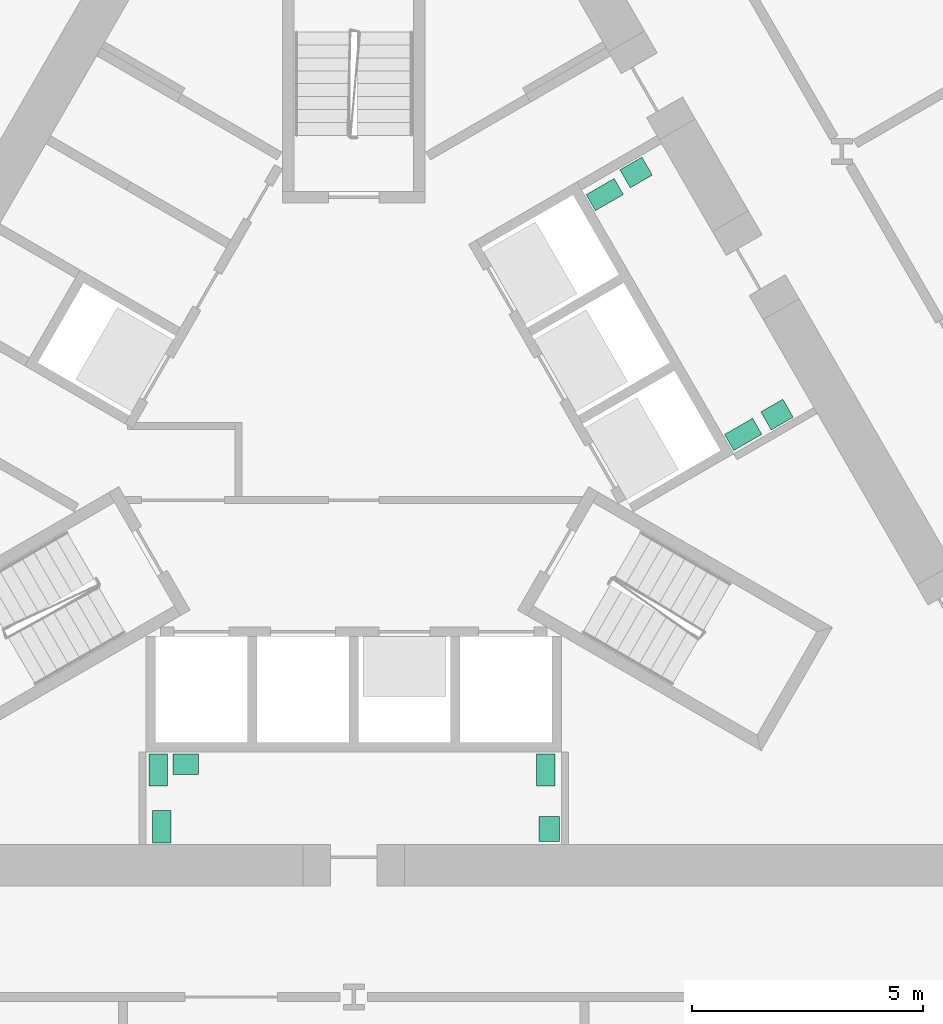
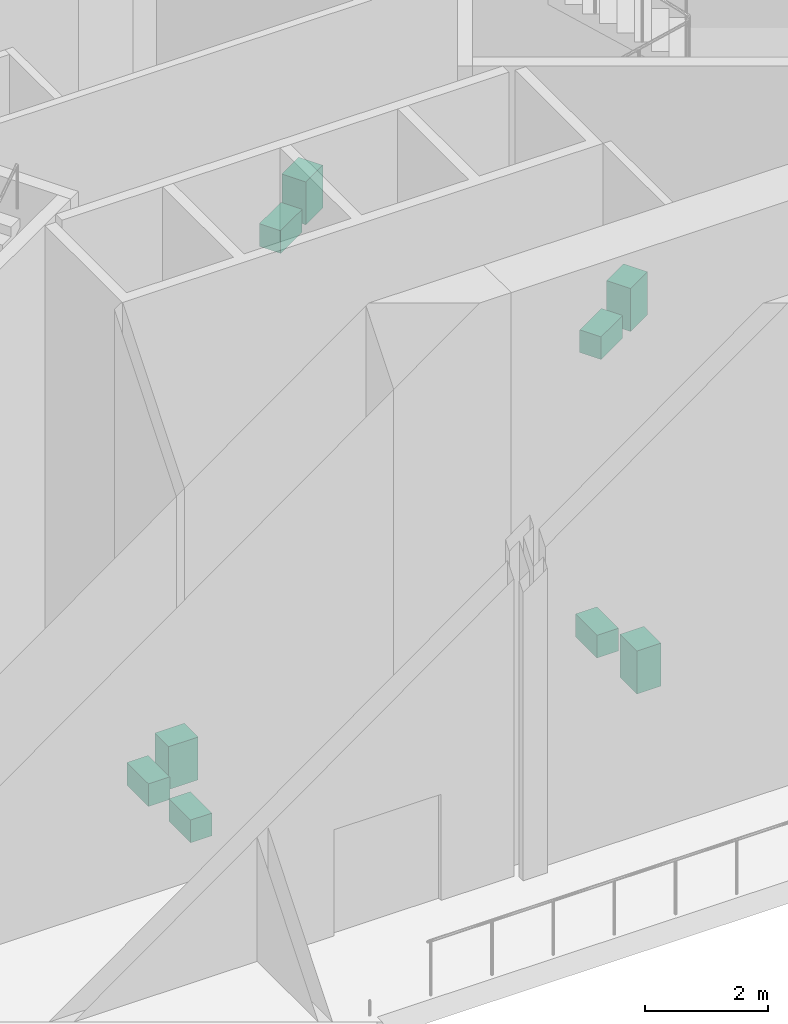
# One storey, part 17 of 18: 9 sanitary terminals.
"""IFC4 building model written with IfcOpenShell, lengths in metres."""

import ifcopenshell
import ifcopenshell.guid

model = None  # the IFC model being written
_history = None  # IfcOwnerHistory: only IFC2X3 demands one
_inside = {}  # id of a spatial element -> (the spatial element, [elements in it])
_under = {}  # id of a project, library or spatial element -> (it, [spatial elements below it])
_declared = {}  # id of a project -> (the project, [libraries it declares])
_typed = {}  # id of a type object -> (the type object, [elements of that type])
_made_of = {}  # id of a material, layer set ... -> (it, [elements and type objects made of it])


def new_model(schema):
    """Start an empty IFC model of exactly this schema.

    Asked for "IFC4X3", IfcOpenShell would pick the latest addendum, in which some entities
    have other attributes; the version numbers below select the first issue.
    IFC2X3 requires an IfcOwnerHistory on every rooted entity: one is made here for all.
    """
    global model, _history
    if schema == "IFC4X3":
        model = ifcopenshell.file(schema_version=(4, 3, 0, 0))
    else:
        model = ifcopenshell.file(schema=schema)
    _inside.clear()
    _under.clear()
    _declared.clear()
    _typed.clear()
    _made_of.clear()
    _history = None
    if model.schema == "IFC2X3":
        org = make("IfcOrganization", Name="unknown")
        user = make(
            "IfcPersonAndOrganization",
            ThePerson=make("IfcPerson", FamilyName="unknown"),
            TheOrganization=org,
        )
        app = make(
            "IfcApplication",
            ApplicationDeveloper=org,
            Version="unknown",
            ApplicationFullName="unknown",
            ApplicationIdentifier="unknown",
        )
        _history = make(
            "IfcOwnerHistory",
            OwningUser=user,
            OwningApplication=app,
            ChangeAction="ADDED",
            CreationDate=0,
        )
    return model


def make(cls, **values):
    """One entity of the class cls with the attributes given. An attribute that is None is left unset."""
    return model.create_entity(
        cls, **{name: value for name, value in values.items() if value is not None}
    )


def rooted(cls, **values):
    """An entity with a GlobalId (a new one), such as an element, a storey or a relation."""
    return make(cls, GlobalId=ifcopenshell.guid.new(), OwnerHistory=_history, **values)


def si_unit(unit_type, name, prefix=None):
    """IfcSIUnit, for example si_unit("LENGTHUNIT", "METRE", prefix="MILLI")."""
    return make("IfcSIUnit", UnitType=unit_type, Prefix=prefix, Name=name)


def assignment(units):
    """IfcUnitAssignment: the units of a project."""
    return None if units is None else make("IfcUnitAssignment", Units=units)


def point(xyz):
    """IfcCartesianPoint."""
    return None if xyz is None else make("IfcCartesianPoint", Coordinates=xyz)


def direction(xyz):
    """IfcDirection."""
    return None if xyz is None else make("IfcDirection", DirectionRatios=xyz)


def frame(location, z_axis=None, x_axis=None):
    """IfcAxis2Placement3D, a coordinate frame: its origin and axes. An axis left out is left unset."""
    return make(
        "IfcAxis2Placement3D",
        Location=point(location),
        Axis=direction(z_axis),
        RefDirection=direction(x_axis),
    )


def frame_2d(location, x_axis=None):
    """IfcAxis2Placement2D, a coordinate frame in the plane: its origin and x axis."""
    return make(
        "IfcAxis2Placement2D", Location=point(location), RefDirection=direction(x_axis)
    )


def origin():
    """The frame at (0, 0, 0) with its axes left unset."""
    return frame((0.0, 0.0, 0.0))


def origin_2d():
    """The frame at (0, 0) in the plane with its x axis left unset."""
    return frame_2d((0.0, 0.0))


def place(relative_to, where):
    """IfcLocalPlacement: puts the frame where relative to a parent placement (None: the world)."""
    return make(
        "IfcLocalPlacement", PlacementRelTo=relative_to, RelativePlacement=where
    )


def context(
    kind, dimensions, precision=None, world=None, true_north=None, identifier=None
):
    """IfcGeometricRepresentationContext, for example the 3D "Model" context."""
    return make(
        "IfcGeometricRepresentationContext",
        ContextIdentifier=identifier,
        ContextType=kind,
        CoordinateSpaceDimension=dimensions,
        Precision=precision,
        WorldCoordinateSystem=world,
        TrueNorth=true_north,
    )


def subcontext(parent, identifier, kind, view, scale=None):
    """IfcGeometricRepresentationSubContext, for example "Body" below "Model"."""
    return make(
        "IfcGeometricRepresentationSubContext",
        ContextIdentifier=identifier,
        ContextType=kind,
        ParentContext=parent,
        TargetScale=scale,
        TargetView=view,
    )


def project(units=None, contexts=None):
    """IfcProject with its units and contexts."""
    return rooted(
        "IfcProject",
        Name="project",
        RepresentationContexts=contexts,
        UnitsInContext=assignment(units),
    )


def spatial(cls, under=None, at=None, **own):
    """A site, building, storey or space (cls), placed at a placement, below another one or the project."""
    s = rooted(cls, ObjectPlacement=at, **own)
    if under is not None:
        _under.setdefault(under.id(), (under, []))[1].append(s)
    return s


def profile(cls, at=None, kind="AREA", **sizes):
    """A parametric profile (cls). Its sizes go by their IFC names, for example OverallWidth=200.0."""
    return make(cls, ProfileType=kind, Position=at, **sizes)


def rectangle(**sizes):
    """IfcRectangleProfileDef."""
    return profile("IfcRectangleProfileDef", **sizes)


def extrude(swept, where, along, depth):
    """IfcExtrudedAreaSolid: the profile swept, set in the frame where, extruded along a direction by depth."""
    return make(
        "IfcExtrudedAreaSolid",
        SweptArea=swept,
        Position=where,
        ExtrudedDirection=direction(along),
        Depth=depth,
    )


def shape(context_of_items, identifier, shape_type, items):
    """IfcShapeRepresentation: the items that make up one representation, for example the "Body"."""
    return make(
        "IfcShapeRepresentation",
        ContextOfItems=context_of_items,
        RepresentationIdentifier=identifier,
        RepresentationType=shape_type,
        Items=items,
    )


def material(Name=None, Category=None):
    """IfcMaterial."""
    return make("IfcMaterial", Name=Name, Category=Category)


def made_of(thing, what):
    """Note that an element or type object is made of a material, layer set ...; save() writes the relation."""
    if what is not None:
        _made_of.setdefault(what.id(), (what, []))[1].append(thing)
    return thing


def type_object(cls, material=None, **own):
    """A type object (cls), such as IfcWallType, which elements share."""
    return made_of(rooted(cls, **own), material)


def element(
    cls,
    number,
    at=None,
    inside=None,
    cuts=None,
    type_object=None,
    material=None,
    context=None,
    identifier="Body",
    shape_type=None,
    held_by="IfcProductDefinitionShape",
    body=None,
    shapes=None,
    **own,
):
    """One element of the class cls, such as IfcWall. Its Tag is "e" and its number.

    at: its placement. inside: the storey or other place that contains it. cuts: it is an
    opening in that element (IfcRelVoidsElement). A single representation is given by context,
    identifier, shape_type and body (its items); several are given by shapes. held_by: the class
    of the entity that holds the representations. save() writes the other relations.
    """
    e = rooted(cls, Tag="e%d" % number, ObjectPlacement=at, **own)
    if body is not None:
        shapes = [shape(context, identifier, shape_type, body)]
    if shapes is not None:
        e.Representation = make(held_by, Representations=shapes)
    if inside is not None:
        _inside.setdefault(inside.id(), (inside, []))[1].append(e)
    if cuts is not None:
        rooted(
            "IfcRelVoidsElement", RelatingBuildingElement=cuts, RelatedOpeningElement=e
        )
    if type_object is not None:
        _typed.setdefault(type_object.id(), (type_object, []))[1].append(e)
    return made_of(e, material)


def aggregate(whole, parts):
    """IfcRelAggregates: a whole, such as a stair, and the parts it consists of."""
    return rooted("IfcRelAggregates", RelatingObject=whole, RelatedObjects=parts)


def save(model, path):
    """Write the relations noted so far, then the file.

    IfcRelAggregates (storeys below a building ...), IfcRelContainedInSpatialStructure (elements
    in a storey), IfcRelDefinesByType, IfcRelAssociatesMaterial and IfcRelDeclares: one each for
    every whole, place, type object, material and project.
    """
    for whole, parts in _under.values():
        aggregate(whole, parts)
    for where, things in _inside.values():
        rooted(
            "IfcRelContainedInSpatialStructure",
            RelatedElements=things,
            RelatingStructure=where,
        )
    for kind, things in _typed.values():
        rooted("IfcRelDefinesByType", RelatedObjects=things, RelatingType=kind)
    for what, things in _made_of.values():
        rooted("IfcRelAssociatesMaterial", RelatedObjects=things, RelatingMaterial=what)
    for by, libraries in _declared.values():
        rooted("IfcRelDeclares", RelatingContext=by, RelatedDefinitions=libraries)
    model.write(path)


model = new_model("IFC4")

# Units and contexts
model_context = context("Model", 3, precision=1e-05, world=origin(), true_north=direction((0.0, 1.0)))
body_context = subcontext(model_context, "Body", "Model", "MODEL_VIEW")
ifc_project = project(units=[si_unit("LENGTHUNIT", "METRE"), si_unit("AREAUNIT", "SQUARE_METRE"), si_unit("VOLUMEUNIT", "CUBIC_METRE"), si_unit("PLANEANGLEUNIT", "RADIAN"), si_unit("MASSUNIT", "GRAM", prefix="KILO")], contexts=[model_context])

# Site, building, storey
site_placement = place(None, origin())
site = spatial("IfcSite", under=ifc_project, at=site_placement, CompositionType="ELEMENT")
building_placement = place(site_placement, origin())
building = spatial("IfcBuilding", under=site, at=building_placement, Name="Cormorant Prow Tower", CompositionType="ELEMENT")
storey_placement = place(building_placement, origin())
storey = spatial("IfcBuildingStorey", under=building, at=storey_placement, Name="L00", CompositionType="ELEMENT", Elevation=0.0)

# Sanitary terminals
ifc_material_1 = material(Name="Vitreous china")
sanitary_terminal_type_1 = type_object("IfcSanitaryTerminalType", Name="Wash basin 550x450", PredefinedType="WASHHANDBASIN", material=ifc_material_1)
for number, where, z_axis, x_axis, name in (
    (1, (4.235107421875, -8.574951171875, 0.0), (0.0, 0.0, 1.0), (0.0, 1.0, 0.0), "Wash basin"),
    (2, (-3.639892578125, -7.1708984375, 0.0), (0.0, 0.0, 1.0), (-1.0, 0.0, 0.0), "Wash basin"),
    (3, (6.118896484375, 5.651611328125, 0.0), (0.0, 0.0, 1.0), (-0.866042856549, -0.499969769706, 0.0), "Wash basin"),
    (4, (9.172119140625, 0.405517578125, 0.0), (0.0, 0.0, 1.0), (0.866016677006, 0.500015114919, 0.0), "Wash basin"),
):
    element("IfcSanitaryTerminal", number, at=place(storey_placement, frame(where, z_axis=z_axis, x_axis=x_axis)), inside=storey, type_object=sanitary_terminal_type_1, Name=name, PredefinedType="WASHHANDBASIN", context=body_context, shape_type="SweptSolid", body=[
        extrude(rectangle(XDim=0.550048828125, YDim=0.449951171875, at=origin_2d()), origin(), (0.0, 0.0, 1.0), 0.85009765625),
    ])
ifc_material_2 = material(Name="Vitreous china")
sanitary_terminal_type_2 = type_object("IfcSanitaryTerminalType", Name="Water closet 400x700", PredefinedType="WCSEAT", material=ifc_material_2)
for number, where, z_axis, x_axis, name in (
    (5, (-4.239990234375, -7.2958984375, 0.0), (0.0, 0.0, 1.0), (-1.0, 0.0, 0.0), "Water closet"),
    (6, (4.159912109375, -7.2958984375, 0.0), (0.0, 0.0, 1.0), (-1.0, 0.0, 0.0), "Water closet"),
    (7, (-4.159912109375, -8.52490234375, 0.0), (0.0, 0.0, 1.0), (1.0, 0.0, 0.0), "Water closet"),
    (8, (8.4384765625, -0.02392578125, 0.0), (0.0, 0.0, 1.0), (0.5, -0.866025403784, 0.0), "Water closet"),
    (9, (5.438720703125, 5.172119140625, 0.0), (0.0, 0.0, 1.0), (0.5, -0.866025403784, 0.0), "Water closet"),
):
    element("IfcSanitaryTerminal", number, at=place(storey_placement, frame(where, z_axis=z_axis, x_axis=x_axis)), inside=storey, type_object=sanitary_terminal_type_2, Name=name, PredefinedType="WCSEAT", context=body_context, shape_type="SweptSolid", body=[
        extrude(rectangle(XDim=0.39990234375, YDim=0.699951171875, at=origin_2d()), origin(), (0.0, 0.0, 1.0), 0.449951171875),
    ])

save(model, "model.ifc")
